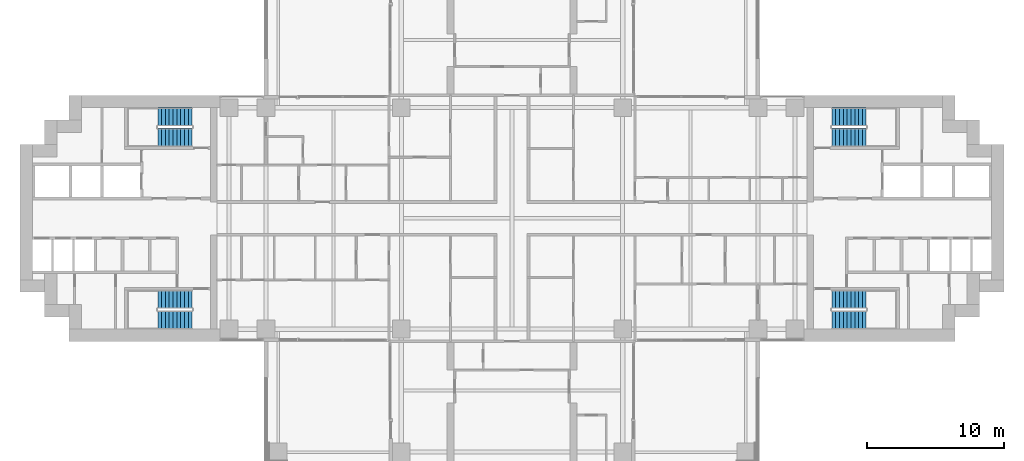
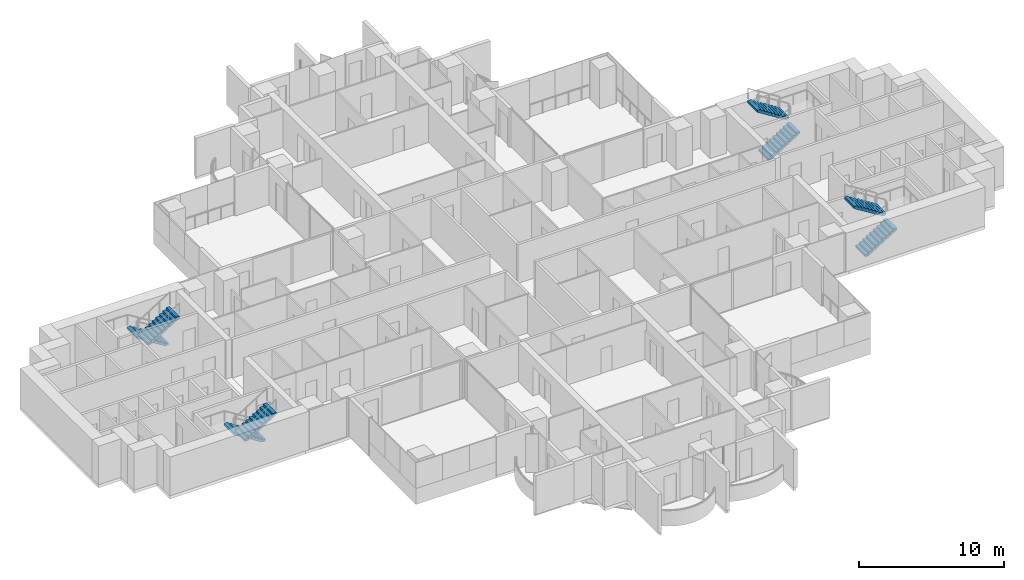
# One storey, part 17 of 21: 8 stair flights, 4 elements without a shape of their own.
"""IFC4 building model written with IfcOpenShell, lengths in metres."""

from ifc_helpers import new_model, si_unit, direction, frame, origin, place, context, subcontext, project, spatial, polyline, outline, extrude, material, type_object, element, aggregate, save


model = new_model("IFC4")

# Units and contexts
model_context = context("Model", 3, precision=1e-05, world=origin(), true_north=direction((0.0, 1.0)))
body_context = subcontext(model_context, "Body", "Model", "MODEL_VIEW")
ifc_project = project(units=[si_unit("LENGTHUNIT", "METRE"), si_unit("AREAUNIT", "SQUARE_METRE"), si_unit("VOLUMEUNIT", "CUBIC_METRE"), si_unit("PLANEANGLEUNIT", "RADIAN"), si_unit("MASSUNIT", "GRAM", prefix="KILO")], contexts=[model_context])

# Site, building, storey
site_placement = place(None, origin())
site = spatial("IfcSite", under=ifc_project, at=site_placement, CompositionType="ELEMENT")
building_placement = place(site_placement, origin())
building = spatial("IfcBuilding", under=site, at=building_placement, Name="Perihelion Cross Residences", CompositionType="ELEMENT")
storey_placement = place(building_placement, frame((0.0, 0.0, 40.0)))
storey = spatial("IfcBuildingStorey", under=building, at=storey_placement, Name="L06", CompositionType="ELEMENT", Elevation=40.0)

# Stair, stair flights
ifc_material_1 = material(Name="Concrete C40/50", Category="concrete")
stair_type = type_object("IfcStairType", Name="Exit stair, half-turn", PredefinedType="HALF_TURN_STAIR", material=ifc_material_1)
stair_1_placement = place(storey_placement, origin())
stair_1 = element("IfcStair", 1, at=stair_1_placement, inside=storey, type_object=stair_type, Name="L06 East core exit stair 1", PredefinedType="HALF_TURN_STAIR")
ifc_material_2 = material(Name="Concrete C40/50", Category="concrete")
stair_flight_type = type_object("IfcStairFlightType", Name="Exit stair flight", PredefinedType="STRAIGHT", material=ifc_material_2)
stair_flight_1_placement = place(storey_placement, frame((23.39990234375, 5.925048828125, 0.0), z_axis=(0.0, 0.0, 1.0), x_axis=(1.0, 0.0, 0.0)))
stair_flight_1 = element("IfcStairFlight", 2, at=stair_flight_1_placement, type_object=stair_flight_type, Name="ST-E1 flight 1", NumberOfRisers=10, NumberOfTreads=9, PredefinedType="STRAIGHT", RiserHeight=0.175, TreadLength=0.28, context=body_context, shape_type="SweptSolid", body=[
    extrude(outline(polyline([(0.0, 0.0), (0.0, 0.175048828125), (0.280029296875, 0.175048828125), (0.280029296875, 0.35009765625), (0.56005859375, 0.35009765625), (0.56005859375, 0.52490234375), (0.840087890625, 0.52490234375), (0.840087890625, 0.699951171875), (1.1201171875, 0.699951171875), (1.1201171875, 0.875), (1.39990234375, 0.875), (1.39990234375, 1.050048828125), (1.679931640625, 1.050048828125), (1.679931640625, 1.22509765625), (1.9599609375, 1.22509765625), (1.9599609375, 1.39990234375), (2.239990234375, 1.39990234375), (2.239990234375, 1.574951171875), (2.52001953125, 1.574951171875), (2.52001953125, 1.75), (2.52001953125, 1.398193359375), (0.28271484375, 0.0), (0.0, 0.0)])), frame((0.0, 0.675048828125, 0.0), z_axis=(0.0, -1.0, 0.0), x_axis=(1.0, 0.0, 0.0)), (0.0, 0.0, 1.0), 1.35009765625),
])
stair_flight_2_placement = place(storey_placement, frame((25.919921875, 7.425048828125, 1.75), z_axis=(0.0, 0.0, 1.0), x_axis=(-1.0, 0.0, 0.0)))
stair_flight_2 = element("IfcStairFlight", 3, at=stair_flight_2_placement, type_object=stair_flight_type, Name="ST-E1 flight 2", NumberOfRisers=10, NumberOfTreads=9, PredefinedType="STRAIGHT", RiserHeight=0.175, TreadLength=0.28, context=body_context, shape_type="SweptSolid", body=[
    extrude(outline(polyline([(0.0, 0.0), (0.0, 0.175048828125), (0.280029296875, 0.175048828125), (0.280029296875, 0.35009765625), (0.56005859375, 0.35009765625), (0.56005859375, 0.52490234375), (0.840087890625, 0.52490234375), (0.840087890625, 0.699951171875), (1.1201171875, 0.699951171875), (1.1201171875, 0.875), (1.39990234375, 0.875), (1.39990234375, 1.050048828125), (1.679931640625, 1.050048828125), (1.679931640625, 1.22509765625), (1.9599609375, 1.22509765625), (1.9599609375, 1.39990234375), (2.239990234375, 1.39990234375), (2.239990234375, 1.574951171875), (2.52001953125, 1.574951171875), (2.52001953125, 1.75), (2.52001953125, 1.398193359375), (0.28271484375, 0.0), (0.0, 0.0)])), frame((0.0, 0.675048828125, 0.0), z_axis=(0.0, -1.0, 0.0), x_axis=(1.0, 0.0, 0.0)), (0.0, 0.0, 1.0), 1.35009765625),
])
aggregate(stair_1, [stair_flight_1, stair_flight_2])

stair_2_placement = place(storey_placement, origin())
stair_2 = element("IfcStair", 4, at=stair_2_placement, inside=storey, type_object=stair_type, Name="L06 East core exit stair 2", PredefinedType="HALF_TURN_STAIR")
stair_flight_3_placement = place(storey_placement, frame((23.39990234375, -7.425048828125, 0.0), z_axis=(0.0, 0.0, 1.0), x_axis=(1.0, 0.0, 0.0)))
stair_flight_3 = element("IfcStairFlight", 5, at=stair_flight_3_placement, type_object=stair_flight_type, Name="ST-E2 flight 1", NumberOfRisers=10, NumberOfTreads=9, PredefinedType="STRAIGHT", RiserHeight=0.175, TreadLength=0.28, context=body_context, shape_type="SweptSolid", body=[
    extrude(outline(polyline([(0.0, 0.0), (0.0, 0.175048828125), (0.280029296875, 0.175048828125), (0.280029296875, 0.35009765625), (0.56005859375, 0.35009765625), (0.56005859375, 0.52490234375), (0.840087890625, 0.52490234375), (0.840087890625, 0.699951171875), (1.1201171875, 0.699951171875), (1.1201171875, 0.875), (1.39990234375, 0.875), (1.39990234375, 1.050048828125), (1.679931640625, 1.050048828125), (1.679931640625, 1.22509765625), (1.9599609375, 1.22509765625), (1.9599609375, 1.39990234375), (2.239990234375, 1.39990234375), (2.239990234375, 1.574951171875), (2.52001953125, 1.574951171875), (2.52001953125, 1.75), (2.52001953125, 1.398193359375), (0.28271484375, 0.0), (0.0, 0.0)])), frame((0.0, 0.675048828125, 0.0), z_axis=(0.0, -1.0, 0.0), x_axis=(1.0, 0.0, 0.0)), (0.0, 0.0, 1.0), 1.35009765625),
])
stair_flight_4_placement = place(storey_placement, frame((25.919921875, -5.925048828125, 1.75), z_axis=(0.0, 0.0, 1.0), x_axis=(-1.0, 0.0, 0.0)))
stair_flight_4 = element("IfcStairFlight", 6, at=stair_flight_4_placement, type_object=stair_flight_type, Name="ST-E2 flight 2", NumberOfRisers=10, NumberOfTreads=9, PredefinedType="STRAIGHT", RiserHeight=0.175, TreadLength=0.28, context=body_context, shape_type="SweptSolid", body=[
    extrude(outline(polyline([(0.0, 0.0), (0.0, 0.175048828125), (0.280029296875, 0.175048828125), (0.280029296875, 0.35009765625), (0.56005859375, 0.35009765625), (0.56005859375, 0.52490234375), (0.840087890625, 0.52490234375), (0.840087890625, 0.699951171875), (1.1201171875, 0.699951171875), (1.1201171875, 0.875), (1.39990234375, 0.875), (1.39990234375, 1.050048828125), (1.679931640625, 1.050048828125), (1.679931640625, 1.22509765625), (1.9599609375, 1.22509765625), (1.9599609375, 1.39990234375), (2.239990234375, 1.39990234375), (2.239990234375, 1.574951171875), (2.52001953125, 1.574951171875), (2.52001953125, 1.75), (2.52001953125, 1.398193359375), (0.28271484375, 0.0), (0.0, 0.0)])), frame((0.0, 0.675048828125, 0.0), z_axis=(0.0, -1.0, 0.0), x_axis=(1.0, 0.0, 0.0)), (0.0, 0.0, 1.0), 1.35009765625),
])
aggregate(stair_2, [stair_flight_3, stair_flight_4])

stair_3_placement = place(storey_placement, origin())
stair_3 = element("IfcStair", 7, at=stair_3_placement, inside=storey, type_object=stair_type, Name="L06 West core exit stair 1", PredefinedType="HALF_TURN_STAIR")
stair_flight_5_placement = place(storey_placement, frame((-23.39990234375, 7.425048828125, 0.0), z_axis=(0.0, 0.0, 1.0), x_axis=(-1.0, 0.0, 0.0)))
stair_flight_5 = element("IfcStairFlight", 8, at=stair_flight_5_placement, type_object=stair_flight_type, Name="ST-W1 flight 1", NumberOfRisers=10, NumberOfTreads=9, PredefinedType="STRAIGHT", RiserHeight=0.175, TreadLength=0.28, context=body_context, shape_type="SweptSolid", body=[
    extrude(outline(polyline([(0.0, 0.0), (0.0, 0.175048828125), (0.280029296875, 0.175048828125), (0.280029296875, 0.35009765625), (0.56005859375, 0.35009765625), (0.56005859375, 0.52490234375), (0.840087890625, 0.52490234375), (0.840087890625, 0.699951171875), (1.1201171875, 0.699951171875), (1.1201171875, 0.875), (1.39990234375, 0.875), (1.39990234375, 1.050048828125), (1.679931640625, 1.050048828125), (1.679931640625, 1.22509765625), (1.9599609375, 1.22509765625), (1.9599609375, 1.39990234375), (2.239990234375, 1.39990234375), (2.239990234375, 1.574951171875), (2.52001953125, 1.574951171875), (2.52001953125, 1.75), (2.52001953125, 1.398193359375), (0.28271484375, 0.0), (0.0, 0.0)])), frame((0.0, 0.675048828125, 0.0), z_axis=(0.0, -1.0, 0.0), x_axis=(1.0, 0.0, 0.0)), (0.0, 0.0, 1.0), 1.35009765625),
])
stair_flight_6_placement = place(storey_placement, frame((-25.919921875, 5.925048828125, 1.75), z_axis=(0.0, 0.0, 1.0), x_axis=(1.0, 0.0, 0.0)))
stair_flight_6 = element("IfcStairFlight", 9, at=stair_flight_6_placement, type_object=stair_flight_type, Name="ST-W1 flight 2", NumberOfRisers=10, NumberOfTreads=9, PredefinedType="STRAIGHT", RiserHeight=0.175, TreadLength=0.28, context=body_context, shape_type="SweptSolid", body=[
    extrude(outline(polyline([(0.0, 0.0), (0.0, 0.175048828125), (0.280029296875, 0.175048828125), (0.280029296875, 0.35009765625), (0.56005859375, 0.35009765625), (0.56005859375, 0.52490234375), (0.840087890625, 0.52490234375), (0.840087890625, 0.699951171875), (1.1201171875, 0.699951171875), (1.1201171875, 0.875), (1.39990234375, 0.875), (1.39990234375, 1.050048828125), (1.679931640625, 1.050048828125), (1.679931640625, 1.22509765625), (1.9599609375, 1.22509765625), (1.9599609375, 1.39990234375), (2.239990234375, 1.39990234375), (2.239990234375, 1.574951171875), (2.52001953125, 1.574951171875), (2.52001953125, 1.75), (2.52001953125, 1.398193359375), (0.28271484375, 0.0), (0.0, 0.0)])), frame((0.0, 0.675048828125, 0.0), z_axis=(0.0, -1.0, 0.0), x_axis=(1.0, 0.0, 0.0)), (0.0, 0.0, 1.0), 1.35009765625),
])
aggregate(stair_3, [stair_flight_5, stair_flight_6])

stair_4_placement = place(storey_placement, origin())
stair_4 = element("IfcStair", 10, at=stair_4_placement, inside=storey, type_object=stair_type, Name="L06 West core exit stair 2", PredefinedType="HALF_TURN_STAIR")
stair_flight_7_placement = place(storey_placement, frame((-23.39990234375, -5.925048828125, 0.0), z_axis=(0.0, 0.0, 1.0), x_axis=(-1.0, 0.0, 0.0)))
stair_flight_7 = element("IfcStairFlight", 11, at=stair_flight_7_placement, type_object=stair_flight_type, Name="ST-W2 flight 1", NumberOfRisers=10, NumberOfTreads=9, PredefinedType="STRAIGHT", RiserHeight=0.175, TreadLength=0.28, context=body_context, shape_type="SweptSolid", body=[
    extrude(outline(polyline([(0.0, 0.0), (0.0, 0.175048828125), (0.280029296875, 0.175048828125), (0.280029296875, 0.35009765625), (0.56005859375, 0.35009765625), (0.56005859375, 0.52490234375), (0.840087890625, 0.52490234375), (0.840087890625, 0.699951171875), (1.1201171875, 0.699951171875), (1.1201171875, 0.875), (1.39990234375, 0.875), (1.39990234375, 1.050048828125), (1.679931640625, 1.050048828125), (1.679931640625, 1.22509765625), (1.9599609375, 1.22509765625), (1.9599609375, 1.39990234375), (2.239990234375, 1.39990234375), (2.239990234375, 1.574951171875), (2.52001953125, 1.574951171875), (2.52001953125, 1.75), (2.52001953125, 1.398193359375), (0.28271484375, 0.0), (0.0, 0.0)])), frame((0.0, 0.675048828125, 0.0), z_axis=(0.0, -1.0, 0.0), x_axis=(1.0, 0.0, 0.0)), (0.0, 0.0, 1.0), 1.35009765625),
])
stair_flight_8_placement = place(storey_placement, frame((-25.919921875, -7.425048828125, 1.75), z_axis=(0.0, 0.0, 1.0), x_axis=(1.0, 0.0, 0.0)))
stair_flight_8 = element("IfcStairFlight", 12, at=stair_flight_8_placement, type_object=stair_flight_type, Name="ST-W2 flight 2", NumberOfRisers=10, NumberOfTreads=9, PredefinedType="STRAIGHT", RiserHeight=0.175, TreadLength=0.28, context=body_context, shape_type="SweptSolid", body=[
    extrude(outline(polyline([(0.0, 0.0), (0.0, 0.175048828125), (0.280029296875, 0.175048828125), (0.280029296875, 0.35009765625), (0.56005859375, 0.35009765625), (0.56005859375, 0.52490234375), (0.840087890625, 0.52490234375), (0.840087890625, 0.699951171875), (1.1201171875, 0.699951171875), (1.1201171875, 0.875), (1.39990234375, 0.875), (1.39990234375, 1.050048828125), (1.679931640625, 1.050048828125), (1.679931640625, 1.22509765625), (1.9599609375, 1.22509765625), (1.9599609375, 1.39990234375), (2.239990234375, 1.39990234375), (2.239990234375, 1.574951171875), (2.52001953125, 1.574951171875), (2.52001953125, 1.75), (2.52001953125, 1.398193359375), (0.28271484375, 0.0), (0.0, 0.0)])), frame((0.0, 0.675048828125, 0.0), z_axis=(0.0, -1.0, 0.0), x_axis=(1.0, 0.0, 0.0)), (0.0, 0.0, 1.0), 1.35009765625),
])
aggregate(stair_4, [stair_flight_7, stair_flight_8])

save(model, "model.ifc")
